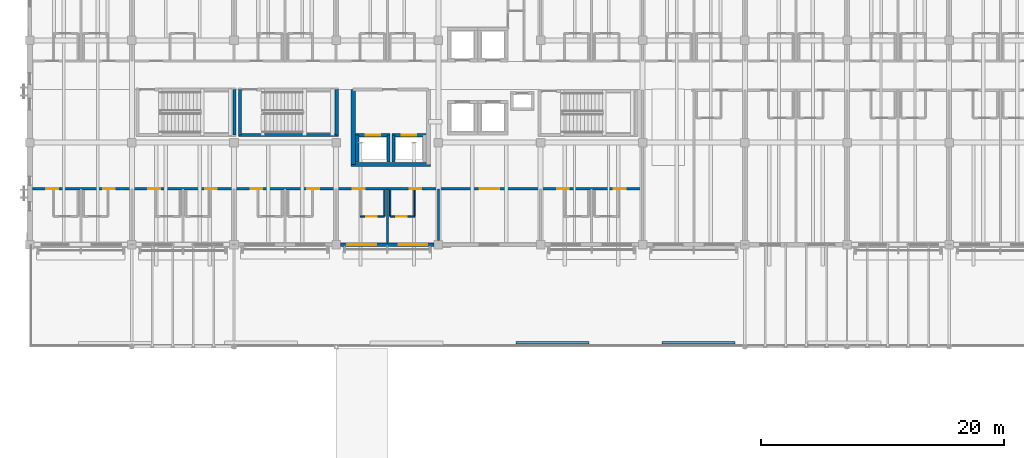
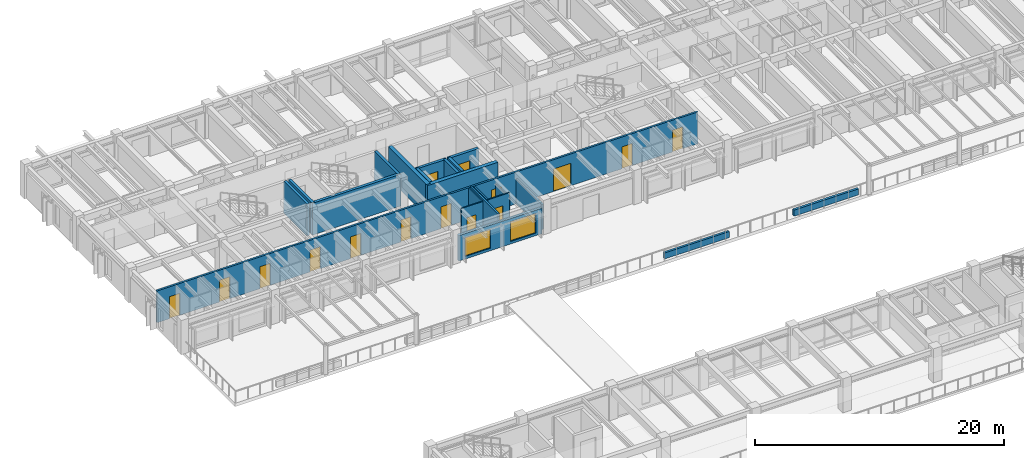
# One storey, part 87 of 111: 22 walls, 15 doors, 2 windows, 17 openings.
"""IFC4 building model written with IfcOpenShell, lengths in metres."""

from ifc_helpers import new_model, si_unit, direction, frame, frame_2d, origin, place, context, subcontext, project, spatial, rectangle, extrude, material, layer, layer_set, type_object, element, fill, save


model = new_model("IFC4")

# Units and contexts
model_context = context("Model", 3, precision=1e-05, world=origin(), true_north=direction((0.0, 1.0)))
body_context = subcontext(model_context, "Body", "Model", "MODEL_VIEW")
ifc_project = project(units=[si_unit("LENGTHUNIT", "METRE"), si_unit("AREAUNIT", "SQUARE_METRE"), si_unit("VOLUMEUNIT", "CUBIC_METRE"), si_unit("PLANEANGLEUNIT", "RADIAN"), si_unit("MASSUNIT", "GRAM", prefix="KILO")], contexts=[model_context])

# Site, building, storey
site_placement = place(None, origin())
site = spatial("IfcSite", under=ifc_project, at=site_placement, CompositionType="ELEMENT")
building_placement = place(site_placement, origin())
building = spatial("IfcBuilding", under=site, at=building_placement, Name="Cumbredor Promenade Congress Hotel", CompositionType="ELEMENT")
storey_placement = place(building_placement, frame((0.0, 0.0, 15.1201171875)))
storey = spatial("IfcBuildingStorey", under=building, at=storey_placement, Name="L04", CompositionType="ELEMENT", Elevation=15.1201171875)

# Walls
ifc_material_1 = material(Name="Concrete C50/60", Category="concrete")
ifc_layer_1 = layer(ifc_material_1, 0.35009765625, Name="Concrete C50/60", Category="concrete")
ifc_layer_set_1 = layer_set([ifc_layer_1], Name="Concrete C50/60")
wall_type_1 = type_object("IfcWallType", Name="Seismic Shear Core Wall 350mm", PredefinedType="SHEAR", material=ifc_layer_set_1)
wall_1_placement = place(storey_placement, frame((26.60009765625, 99.0, 0.0), z_axis=(0.0, 0.0, 1.0), x_axis=(0.0, 1.0, 0.0)))
element("IfcWall", 1, at=wall_1_placement, inside=storey, type_object=wall_type_1, Name="L04 Hotel Core Shear Wall W1", PredefinedType="SHEAR", context=body_context, shape_type="SweptSolid", body=[
    extrude(rectangle(XDim=6.14990234375, YDim=0.35009765625, at=frame_2d((3.074951171875, 0.0))), origin(), (0.0, 0.0, 1.0), 3.119873046875),
])
wall_2_placement = place(storey_placement, frame((26.425048828125, 99.0, 0.0), z_axis=(0.0, 0.0, 1.0), x_axis=(1.0, 0.0, 0.0)))
element("IfcWall", 2, at=wall_2_placement, inside=storey, type_object=wall_type_1, Name="L04 Hotel Core Shear Wall S1", PredefinedType="SHEAR", context=body_context, shape_type="SweptSolid", body=[
    extrude(rectangle(XDim=6.550048828125, YDim=0.35009765625, at=frame_2d((3.27490234375, 0.0))), origin(), (0.0, 0.0, 1.0), 3.119873046875),
])

# Wall, opening, door
ifc_material_2 = material(Name="Moisture-resistant gypsum board on steel studs", Category="steel")
ifc_layer_2 = layer(ifc_material_2, 0.114990234375, Name="Moisture-resistant gypsum board on steel studs", Category="steel")
ifc_layer_set_2 = layer_set([ifc_layer_2], Name="Moisture-resistant gypsum board on steel studs")
wall_type_2 = type_object("IfcWallType", Name="WL-BATH-115", PredefinedType="PARTITIONING", material=ifc_layer_set_2)
wall_3_placement = place(storey_placement, frame((27.159912109375, 94.72998046875, 0.0), z_axis=(0.0, 0.0, 1.0), x_axis=(1.0, 0.0, 0.0)))
wall_3 = element("IfcWall", 3, at=wall_3_placement, inside=storey, type_object=wall_type_2, Name="L04 Interior Partition W-L04-BH-0477", PredefinedType="PARTITIONING", context=body_context, shape_type="SweptSolid", body=[
    extrude(rectangle(XDim=2.0, YDim=0.114990234375, at=frame_2d((1.0, 0.0))), origin(), (0.0, 0.0, 1.0), 3.119873046875),
])
opening_1_placement = place(wall_3_placement, frame((0.5, 0.0, 0.0)))
opening_1 = element("IfcOpeningElement", 4, at=opening_1_placement, cuts=wall_3, Name="Opening ID-01", PredefinedType="OPENING", context=body_context, shape_type="SweptSolid", body=[
    extrude(rectangle(XDim=0.860107421875, YDim=2.050048828125, at=frame_2d((0.43017578125, 1.02490234375))), frame((0.0, 0.0673828125, 0.0), z_axis=(0.0, -1.0, 0.0), x_axis=(1.0, 0.0, 0.0)), (0.0, 0.0, 1.0), 0.135009765625),
])
ifc_material_3 = material(Name="Kiln-dried tropical hardwood", Category="wood")
door_type_1 = type_object("IfcDoorType", Name="DR-BATH-860", OperationType="NOTDEFINED", PredefinedType="DOOR", material=ifc_material_3)
door_1_placement = place(opening_1_placement, origin())
door_1 = element("IfcDoor", 5, at=door_1_placement, inside=storey, type_object=door_type_1, Name="L04 Interior Door W-L04-BH-0477-01", OperationType="SINGLE_SWING_LEFT", OverallHeight=2.050048828125, OverallWidth=0.860107421875, PredefinedType="DOOR", context=body_context, shape_type="SweptSolid", body=[
    extrude(rectangle(XDim=0.860107421875, YDim=2.050048828125, at=frame_2d((0.43017578125, 1.02490234375))), frame((0.0, 0.02490234375, 0.0), z_axis=(0.0, -1.0, 0.0), x_axis=(1.0, 0.0, 0.0)), (0.0, 0.0, 1.0), 0.050048828125),
])
fill(opening_1, door_1)

# Wall
wall_4_placement = place(storey_placement, frame((29.159912109375, 94.72998046875, 0.0), z_axis=(0.0, 0.0, 1.0), x_axis=(0.0, 1.0, 0.0)))
element("IfcWall", 6, at=wall_4_placement, inside=storey, type_object=wall_type_2, Name="L04 Interior Partition W-L04-BV2-0477", PredefinedType="PARTITIONING", context=body_context, shape_type="SweptSolid", body=[
    extrude(rectangle(XDim=2.14990234375, YDim=0.114990234375, at=frame_2d((1.074951171875, 0.0))), origin(), (0.0, 0.0, 1.0), 3.119873046875),
])

# Wall, opening, door
wall_5_placement = place(storey_placement, frame((29.639892578125, 94.72998046875, 0.0), z_axis=(0.0, 0.0, 1.0), x_axis=(1.0, 0.0, 0.0)))
wall_5 = element("IfcWall", 7, at=wall_5_placement, inside=storey, type_object=wall_type_2, Name="L04 Interior Partition W-L04-BH-0478", PredefinedType="PARTITIONING", context=body_context, shape_type="SweptSolid", body=[
    extrude(rectangle(XDim=2.0, YDim=0.114990234375, at=frame_2d((1.0, 0.0))), origin(), (0.0, 0.0, 1.0), 3.119873046875),
])
opening_2_placement = place(wall_5_placement, frame((0.5, 0.0, 0.0)))
opening_2 = element("IfcOpeningElement", 8, at=opening_2_placement, cuts=wall_5, Name="Opening ID-01", PredefinedType="OPENING", context=body_context, shape_type="SweptSolid", body=[
    extrude(rectangle(XDim=0.860107421875, YDim=2.050048828125, at=frame_2d((0.43017578125, 1.02490234375))), frame((0.0, 0.0673828125, 0.0), z_axis=(0.0, -1.0, 0.0), x_axis=(1.0, 0.0, 0.0)), (0.0, 0.0, 1.0), 0.135009765625),
])
door_2_placement = place(opening_2_placement, origin())
door_2 = element("IfcDoor", 9, at=door_2_placement, inside=storey, type_object=door_type_1, Name="L04 Interior Door W-L04-BH-0478-01", OperationType="SINGLE_SWING_RIGHT", OverallHeight=2.050048828125, OverallWidth=0.860107421875, PredefinedType="DOOR", context=body_context, shape_type="SweptSolid", body=[
    extrude(rectangle(XDim=0.860107421875, YDim=2.050048828125, at=frame_2d((0.43017578125, 1.02490234375))), frame((0.0, 0.02490234375, 0.0), z_axis=(0.0, -1.0, 0.0), x_axis=(1.0, 0.0, 0.0)), (0.0, 0.0, 1.0), 0.050048828125),
])
fill(opening_2, door_2)

# Walls
wall_6_placement = place(storey_placement, frame((29.639892578125, 94.72998046875, 0.0), z_axis=(0.0, 0.0, 1.0), x_axis=(0.0, 1.0, 0.0)))
element("IfcWall", 10, at=wall_6_placement, inside=storey, type_object=wall_type_2, Name="L04 Interior Partition W-L04-BV1-0478", PredefinedType="PARTITIONING", context=body_context, shape_type="SweptSolid", body=[
    extrude(rectangle(XDim=2.14990234375, YDim=0.114990234375, at=frame_2d((1.074951171875, 0.0))), origin(), (0.0, 0.0, 1.0), 3.119873046875),
])
wall_7_placement = place(storey_placement, frame((31.639892578125, 94.72998046875, 0.0), z_axis=(0.0, 0.0, 1.0), x_axis=(0.0, 1.0, 0.0)))
element("IfcWall", 11, at=wall_7_placement, inside=storey, type_object=wall_type_2, Name="L04 Interior Partition W-L04-BV2-0478", PredefinedType="PARTITIONING", context=body_context, shape_type="SweptSolid", body=[
    extrude(rectangle(XDim=2.14990234375, YDim=0.114990234375, at=frame_2d((1.074951171875, 0.0))), origin(), (0.0, 0.0, 1.0), 2.641845703125),
])

# Wall, openings, doors
ifc_material_4 = material(Name="Fire-rated hotel corridor wall")
ifc_layer_3 = layer(ifc_material_4, 0.179931640625, Name="Fire-rated hotel corridor wall")
ifc_layer_set_3 = layer_set([ifc_layer_3], Name="Fire-rated hotel corridor wall")
wall_type_3 = type_object("IfcWallType", Name="WL-CORR-180", PredefinedType="PARTITIONING", material=ifc_layer_set_3)
wall_8_placement = place(storey_placement, frame((0.21240234375, 97.0, 0.0), z_axis=(0.0, 0.0, 1.0), x_axis=(1.0, 0.0, 0.0)))
wall_8 = element("IfcWall", 12, at=wall_8_placement, inside=storey, type_object=wall_type_3, Name="L04 Interior Partition W-L04-SC-CORRW", PredefinedType="PARTITIONING", context=body_context, shape_type="SweptSolid", body=[
    extrude(rectangle(XDim=50.1875, YDim=0.179931640625, at=frame_2d((25.09375, 0.0))), origin(), (0.0, 0.0, 1.0), 3.119873046875),
])
opening_3_placement = place(wall_8_placement, frame((1.157958984375, 0.0, 0.0)))
opening_3 = element("IfcOpeningElement", 13, at=opening_3_placement, cuts=wall_8, Name="Opening FD-01", PredefinedType="OPENING", context=body_context, shape_type="SweptSolid", body=[
    extrude(rectangle(XDim=0.9599609375, YDim=2.14990234375, at=frame_2d((0.47998046875, 1.074951171875))), frame((0.0, 0.10009765625, 0.0), z_axis=(0.0, -1.0, 0.0), x_axis=(1.0, 0.0, 0.0)), (0.0, 0.0, 1.0), 0.199951171875),
])
opening_4_placement = place(wall_8_placement, frame((5.81689453125, 0.0, 0.0)))
opening_4 = element("IfcOpeningElement", 14, at=opening_4_placement, cuts=wall_8, Name="Opening FD-01", PredefinedType="OPENING", context=body_context, shape_type="SweptSolid", body=[
    extrude(rectangle(XDim=0.9599609375, YDim=2.14990234375, at=frame_2d((0.47998046875, 1.074951171875))), frame((0.0, 0.10009765625, 0.0), z_axis=(0.0, -1.0, 0.0), x_axis=(1.0, 0.0, 0.0)), (0.0, 0.0, 1.0), 0.199951171875),
])
opening_5_placement = place(wall_8_placement, frame((9.556884765625, 0.0, 0.0)))
opening_5 = element("IfcOpeningElement", 15, at=opening_5_placement, cuts=wall_8, Name="Opening FD-01", PredefinedType="OPENING", context=body_context, shape_type="SweptSolid", body=[
    extrude(rectangle(XDim=0.9599609375, YDim=2.14990234375, at=frame_2d((0.47998046875, 1.074951171875))), frame((0.0, 0.10009765625, 0.0), z_axis=(0.0, -1.0, 0.0), x_axis=(1.0, 0.0, 0.0)), (0.0, 0.0, 1.0), 0.199951171875),
])
opening_6_placement = place(wall_8_placement, frame((14.217041015625, 0.0, 0.0)))
opening_6 = element("IfcOpeningElement", 16, at=opening_6_placement, cuts=wall_8, Name="Opening FD-01", PredefinedType="OPENING", context=body_context, shape_type="SweptSolid", body=[
    extrude(rectangle(XDim=0.9599609375, YDim=2.14990234375, at=frame_2d((0.47998046875, 1.074951171875))), frame((0.0, 0.10009765625, 0.0), z_axis=(0.0, -1.0, 0.0), x_axis=(1.0, 0.0, 0.0)), (0.0, 0.0, 1.0), 0.199951171875),
])
opening_7_placement = place(wall_8_placement, frame((17.9580078125, 0.0, 0.0)))
opening_7 = element("IfcOpeningElement", 17, at=opening_7_placement, cuts=wall_8, Name="Opening FD-01", PredefinedType="OPENING", context=body_context, shape_type="SweptSolid", body=[
    extrude(rectangle(XDim=0.9599609375, YDim=2.14990234375, at=frame_2d((0.47998046875, 1.074951171875))), frame((0.0, 0.10009765625, 0.0), z_axis=(0.0, -1.0, 0.0), x_axis=(1.0, 0.0, 0.0)), (0.0, 0.0, 1.0), 0.199951171875),
])
opening_8_placement = place(wall_8_placement, frame((22.616943359375, 0.0, 0.0)))
opening_8 = element("IfcOpeningElement", 18, at=opening_8_placement, cuts=wall_8, Name="Opening FD-01", PredefinedType="OPENING", context=body_context, shape_type="SweptSolid", body=[
    extrude(rectangle(XDim=0.9599609375, YDim=2.14990234375, at=frame_2d((0.47998046875, 1.074951171875))), frame((0.0, 0.10009765625, 0.0), z_axis=(0.0, -1.0, 0.0), x_axis=(1.0, 0.0, 0.0)), (0.0, 0.0, 1.0), 0.199951171875),
])
opening_9_placement = place(wall_8_placement, frame((26.35791015625, 0.0, 0.0)))
opening_9 = element("IfcOpeningElement", 19, at=opening_9_placement, cuts=wall_8, Name="Opening FD-01", PredefinedType="OPENING", context=body_context, shape_type="SweptSolid", body=[
    extrude(rectangle(XDim=0.9599609375, YDim=2.14990234375, at=frame_2d((0.47998046875, 1.074951171875))), frame((0.0, 0.10009765625, 0.0), z_axis=(0.0, -1.0, 0.0), x_axis=(1.0, 0.0, 0.0)), (0.0, 0.0, 1.0), 0.199951171875),
])
opening_10_placement = place(wall_8_placement, frame((31.01806640625, 0.0, 0.0)))
opening_10 = element("IfcOpeningElement", 20, at=opening_10_placement, cuts=wall_8, Name="Opening FD-01", PredefinedType="OPENING", context=body_context, shape_type="SweptSolid", body=[
    extrude(rectangle(XDim=0.9599609375, YDim=2.14990234375, at=frame_2d((0.47998046875, 1.074951171875))), frame((0.0, 0.10009765625, 0.0), z_axis=(0.0, -1.0, 0.0), x_axis=(1.0, 0.0, 0.0)), (0.0, 0.0, 1.0), 0.199951171875),
])
opening_11_placement = place(wall_8_placement, frame((36.7880859375, 0.0, 0.0)))
opening_11 = element("IfcOpeningElement", 21, at=opening_11_placement, cuts=wall_8, Name="Opening FD-08", PredefinedType="OPENING", context=body_context, shape_type="SweptSolid", body=[
    extrude(rectangle(XDim=1.6201171875, YDim=2.199951171875, at=frame_2d((0.81005859375, 1.10009765625))), frame((0.0, 0.10009765625, 0.0), z_axis=(0.0, -1.0, 0.0), x_axis=(1.0, 0.0, 0.0)), (0.0, 0.0, 1.0), 0.199951171875),
])
opening_12_placement = place(wall_8_placement, frame((43.156982421875, 0.0, 0.0)))
opening_12 = element("IfcOpeningElement", 22, at=opening_12_placement, cuts=wall_8, Name="Opening FD-01", PredefinedType="OPENING", context=body_context, shape_type="SweptSolid", body=[
    extrude(rectangle(XDim=0.9599609375, YDim=2.14990234375, at=frame_2d((0.47998046875, 1.074951171875))), frame((0.0, 0.10009765625, 0.0), z_axis=(0.0, -1.0, 0.0), x_axis=(1.0, 0.0, 0.0)), (0.0, 0.0, 1.0), 0.199951171875),
])
opening_13_placement = place(wall_8_placement, frame((47.818115234375, 0.0, 0.0)))
opening_13 = element("IfcOpeningElement", 23, at=opening_13_placement, cuts=wall_8, Name="Opening FD-01", PredefinedType="OPENING", context=body_context, shape_type="SweptSolid", body=[
    extrude(rectangle(XDim=0.9599609375, YDim=2.14990234375, at=frame_2d((0.47998046875, 1.074951171875))), frame((0.0, 0.10009765625, 0.0), z_axis=(0.0, -1.0, 0.0), x_axis=(1.0, 0.0, 0.0)), (0.0, 0.0, 1.0), 0.199951171875),
])
ifc_material_5 = material(Name="Solid-core fire-rated tropical hardwood", Category="wood")
door_type_2 = type_object("IfcDoorType", Name="DR-DBL-FD60-1600", OperationType="DOUBLE_DOOR_SINGLE_SWING", PredefinedType="DOOR", material=ifc_material_5)
door_3_placement = place(opening_11_placement, origin())
door_3 = element("IfcDoor", 24, at=door_3_placement, inside=storey, type_object=door_type_2, Name="L04 Interior Door W-L04-SC-CORRW-09", OperationType="DOUBLE_DOOR_SINGLE_SWING", OverallHeight=2.199951171875, OverallWidth=1.6201171875, PredefinedType="DOOR", context=body_context, shape_type="SweptSolid", body=[
    extrude(rectangle(XDim=1.6201171875, YDim=2.199951171875, at=frame_2d((0.81005859375, 1.10009765625))), frame((0.0, 0.02490234375, 0.0), z_axis=(0.0, -1.0, 0.0), x_axis=(1.0, 0.0, 0.0)), (0.0, 0.0, 1.0), 0.050048828125),
])
fill(opening_11, door_3)
door_type_3 = type_object("IfcDoorType", Name="DR-GUEST-FD30-950", OperationType="NOTDEFINED", PredefinedType="DOOR", material=ifc_material_5)
door_4_placement = place(opening_3_placement, origin())
door_4 = element("IfcDoor", 25, at=door_4_placement, inside=storey, type_object=door_type_3, Name="L04 Interior Door W-L04-SC-CORRW-01", OperationType="SINGLE_SWING_RIGHT", OverallHeight=2.14990234375, OverallWidth=0.9599609375, PredefinedType="DOOR", context=body_context, shape_type="SweptSolid", body=[
    extrude(rectangle(XDim=0.9599609375, YDim=2.14990234375, at=frame_2d((0.47998046875, 1.074951171875))), frame((0.0, 0.02490234375, 0.0), z_axis=(0.0, -1.0, 0.0), x_axis=(1.0, 0.0, 0.0)), (0.0, 0.0, 1.0), 0.050048828125),
])
fill(opening_3, door_4)
door_5_placement = place(opening_4_placement, origin())
door_5 = element("IfcDoor", 26, at=door_5_placement, inside=storey, type_object=door_type_3, Name="L04 Interior Door W-L04-SC-CORRW-02", OperationType="SINGLE_SWING_LEFT", OverallHeight=2.14990234375, OverallWidth=0.9599609375, PredefinedType="DOOR", context=body_context, shape_type="SweptSolid", body=[
    extrude(rectangle(XDim=0.9599609375, YDim=2.14990234375, at=frame_2d((0.47998046875, 1.074951171875))), frame((0.0, 0.02490234375, 0.0), z_axis=(0.0, -1.0, 0.0), x_axis=(1.0, 0.0, 0.0)), (0.0, 0.0, 1.0), 0.050048828125),
])
fill(opening_4, door_5)
door_6_placement = place(opening_5_placement, origin())
door_6 = element("IfcDoor", 27, at=door_6_placement, inside=storey, type_object=door_type_3, Name="L04 Interior Door W-L04-SC-CORRW-03", OperationType="SINGLE_SWING_RIGHT", OverallHeight=2.14990234375, OverallWidth=0.9599609375, PredefinedType="DOOR", context=body_context, shape_type="SweptSolid", body=[
    extrude(rectangle(XDim=0.9599609375, YDim=2.14990234375, at=frame_2d((0.47998046875, 1.074951171875))), frame((0.0, 0.02490234375, 0.0), z_axis=(0.0, -1.0, 0.0), x_axis=(1.0, 0.0, 0.0)), (0.0, 0.0, 1.0), 0.050048828125),
])
fill(opening_5, door_6)
door_7_placement = place(opening_6_placement, origin())
door_7 = element("IfcDoor", 28, at=door_7_placement, inside=storey, type_object=door_type_3, Name="L04 Interior Door W-L04-SC-CORRW-04", OperationType="SINGLE_SWING_LEFT", OverallHeight=2.14990234375, OverallWidth=0.9599609375, PredefinedType="DOOR", context=body_context, shape_type="SweptSolid", body=[
    extrude(rectangle(XDim=0.9599609375, YDim=2.14990234375, at=frame_2d((0.47998046875, 1.074951171875))), frame((0.0, 0.02490234375, 0.0), z_axis=(0.0, -1.0, 0.0), x_axis=(1.0, 0.0, 0.0)), (0.0, 0.0, 1.0), 0.050048828125),
])
fill(opening_6, door_7)
door_8_placement = place(opening_7_placement, origin())
door_8 = element("IfcDoor", 29, at=door_8_placement, inside=storey, type_object=door_type_3, Name="L04 Interior Door W-L04-SC-CORRW-05", OperationType="SINGLE_SWING_RIGHT", OverallHeight=2.14990234375, OverallWidth=0.9599609375, PredefinedType="DOOR", context=body_context, shape_type="SweptSolid", body=[
    extrude(rectangle(XDim=0.9599609375, YDim=2.14990234375, at=frame_2d((0.47998046875, 1.074951171875))), frame((0.0, 0.02490234375, 0.0), z_axis=(0.0, -1.0, 0.0), x_axis=(1.0, 0.0, 0.0)), (0.0, 0.0, 1.0), 0.050048828125),
])
fill(opening_7, door_8)
door_9_placement = place(opening_8_placement, origin())
door_9 = element("IfcDoor", 30, at=door_9_placement, inside=storey, type_object=door_type_3, Name="L04 Interior Door W-L04-SC-CORRW-06", OperationType="SINGLE_SWING_LEFT", OverallHeight=2.14990234375, OverallWidth=0.9599609375, PredefinedType="DOOR", context=body_context, shape_type="SweptSolid", body=[
    extrude(rectangle(XDim=0.9599609375, YDim=2.14990234375, at=frame_2d((0.47998046875, 1.074951171875))), frame((0.0, 0.02490234375, 0.0), z_axis=(0.0, -1.0, 0.0), x_axis=(1.0, 0.0, 0.0)), (0.0, 0.0, 1.0), 0.050048828125),
])
fill(opening_8, door_9)
door_10_placement = place(opening_9_placement, origin())
door_10 = element("IfcDoor", 31, at=door_10_placement, inside=storey, type_object=door_type_3, Name="L04 Interior Door W-L04-SC-CORRW-07", OperationType="SINGLE_SWING_RIGHT", OverallHeight=2.14990234375, OverallWidth=0.9599609375, PredefinedType="DOOR", context=body_context, shape_type="SweptSolid", body=[
    extrude(rectangle(XDim=0.9599609375, YDim=2.14990234375, at=frame_2d((0.47998046875, 1.074951171875))), frame((0.0, 0.02490234375, 0.0), z_axis=(0.0, -1.0, 0.0), x_axis=(1.0, 0.0, 0.0)), (0.0, 0.0, 1.0), 0.050048828125),
])
fill(opening_9, door_10)
door_11_placement = place(opening_10_placement, origin())
door_11 = element("IfcDoor", 32, at=door_11_placement, inside=storey, type_object=door_type_3, Name="L04 Interior Door W-L04-SC-CORRW-08", OperationType="SINGLE_SWING_LEFT", OverallHeight=2.14990234375, OverallWidth=0.9599609375, PredefinedType="DOOR", context=body_context, shape_type="SweptSolid", body=[
    extrude(rectangle(XDim=0.9599609375, YDim=2.14990234375, at=frame_2d((0.47998046875, 1.074951171875))), frame((0.0, 0.02490234375, 0.0), z_axis=(0.0, -1.0, 0.0), x_axis=(1.0, 0.0, 0.0)), (0.0, 0.0, 1.0), 0.050048828125),
])
fill(opening_10, door_11)
door_12_placement = place(opening_12_placement, origin())
door_12 = element("IfcDoor", 33, at=door_12_placement, inside=storey, type_object=door_type_3, Name="L04 Interior Door W-L04-SC-CORRW-10", OperationType="SINGLE_SWING_RIGHT", OverallHeight=2.14990234375, OverallWidth=0.9599609375, PredefinedType="DOOR", context=body_context, shape_type="SweptSolid", body=[
    extrude(rectangle(XDim=0.9599609375, YDim=2.14990234375, at=frame_2d((0.47998046875, 1.074951171875))), frame((0.0, 0.02490234375, 0.0), z_axis=(0.0, -1.0, 0.0), x_axis=(1.0, 0.0, 0.0)), (0.0, 0.0, 1.0), 0.050048828125),
])
fill(opening_12, door_12)
door_13_placement = place(opening_13_placement, origin())
door_13 = element("IfcDoor", 34, at=door_13_placement, inside=storey, type_object=door_type_3, Name="L04 Interior Door W-L04-SC-CORRW-11", OperationType="SINGLE_SWING_LEFT", OverallHeight=2.14990234375, OverallWidth=0.9599609375, PredefinedType="DOOR", context=body_context, shape_type="SweptSolid", body=[
    extrude(rectangle(XDim=0.9599609375, YDim=2.14990234375, at=frame_2d((0.47998046875, 1.074951171875))), frame((0.0, 0.02490234375, 0.0), z_axis=(0.0, -1.0, 0.0), x_axis=(1.0, 0.0, 0.0)), (0.0, 0.0, 1.0), 0.050048828125),
])
fill(opening_13, door_13)

# Wall, openings, windows
ifc_material_6 = material(Name="Concrete C40/50", Category="concrete")
ifc_layer_4 = layer(ifc_material_6, 0.280029296875, Name="Concrete C40/50", Category="concrete")
ifc_layer_set_4 = layer_set([ifc_layer_4], Name="Concrete C40/50")
wall_type_4 = type_object("IfcWallType", Name="WL-EXT-280", PredefinedType="SOLIDWALL", material=ifc_layer_set_4)
wall_9_placement = place(storey_placement, frame((25.551025390625, 92.39990234375, 0.0), z_axis=(0.0, 0.0, 1.0), x_axis=(1.0, 0.0, 0.0)))
wall_9 = element("IfcWall", 35, at=wall_9_placement, inside=storey, type_object=wall_type_4, Name="L04 Stepped Congress Hotel Wing South Envelope Wall 4", PredefinedType="SOLIDWALL", context=body_context, shape_type="SweptSolid", body=[
    extrude(rectangle(XDim=7.697998046875, YDim=0.280029296875, at=frame_2d((3.84912109375, 0.0))), origin(), (0.0, 0.0, 1.0), 2.493896484375),
])
opening_14_placement = place(wall_9_placement, frame((0.573974609375, 0.0, 0.25)))
opening_14 = element("IfcOpeningElement", 36, at=opening_14_placement, cuts=wall_9, Name="Opening WN-02", PredefinedType="OPENING", context=body_context, shape_type="SweptSolid", body=[
    extrude(rectangle(XDim=2.35009765625, YDim=1.85009765625, at=frame_2d((1.175048828125, 0.925048828125))), frame((0.0, 0.14990234375, 0.0), z_axis=(0.0, -1.0, 0.0), x_axis=(1.0, 0.0, 0.0)), (0.0, 0.0, 1.0), 0.300048828125),
])
opening_15_placement = place(wall_9_placement, frame((4.77392578125, 0.0, 0.25)))
opening_15 = element("IfcOpeningElement", 37, at=opening_15_placement, cuts=wall_9, Name="Opening WN-08", PredefinedType="OPENING", context=body_context, shape_type="SweptSolid", body=[
    extrude(rectangle(XDim=2.35009765625, YDim=1.949951171875, at=frame_2d((1.175048828125, 0.97509765625))), frame((0.0, 0.14990234375, 0.0), z_axis=(0.0, -1.0, 0.0), x_axis=(1.0, 0.0, 0.0)), (0.0, 0.0, 1.0), 0.300048828125),
])
ifc_material_7 = material(Name="Thermally broken anodized aluminium and low-E glass", Category="aluminium")
window_type_1 = type_object("IfcWindowType", Name="Hospitality Floor-to-Ceiling Window WN-02 2350x1850", PartitioningType="DOUBLE_PANEL_VERTICAL", PredefinedType="WINDOW", material=ifc_material_7)
window_1_placement = place(opening_14_placement, origin())
window_1 = element("IfcWindow", 38, at=window_1_placement, inside=storey, type_object=window_type_1, Name="L04 Wide Hospitality Window 0478", OverallHeight=1.85009765625, OverallWidth=2.35009765625, PartitioningType="DOUBLE_PANEL_VERTICAL", PredefinedType="WINDOW", context=body_context, shape_type="SweptSolid", body=[
    extrude(rectangle(XDim=2.35009765625, YDim=1.85009765625, at=frame_2d((1.175048828125, 0.925048828125))), frame((0.0, 0.030029296875, 0.0), z_axis=(0.0, -1.0, 0.0), x_axis=(1.0, 0.0, 0.0)), (0.0, 0.0, 1.0), 0.06005859375),
])
fill(opening_14, window_1)
window_type_2 = type_object("IfcWindowType", Name="Hospitality Floor-to-Ceiling Window WN-08 2350x1950", PartitioningType="DOUBLE_PANEL_VERTICAL", PredefinedType="WINDOW", material=ifc_material_7)
window_2_placement = place(opening_15_placement, origin())
window_2 = element("IfcWindow", 39, at=window_2_placement, inside=storey, type_object=window_type_2, Name="L04 Wide Hospitality Window 0479", OverallHeight=1.949951171875, OverallWidth=2.35009765625, PartitioningType="DOUBLE_PANEL_VERTICAL", PredefinedType="WINDOW", context=body_context, shape_type="SweptSolid", body=[
    extrude(rectangle(XDim=2.35009765625, YDim=1.949951171875, at=frame_2d((1.175048828125, 0.97509765625))), frame((0.0, 0.030029296875, 0.0), z_axis=(0.0, -1.0, 0.0), x_axis=(1.0, 0.0, 0.0)), (0.0, 0.0, 1.0), 0.06005859375),
])
fill(opening_15, window_2)

# Walls
ifc_material_8 = material(Name="Precast concrete C40/50", Category="concrete")
ifc_layer_5 = layer(ifc_material_8, 0.199951171875, Name="Precast concrete C40/50", Category="concrete")
ifc_layer_set_5 = layer_set([ifc_layer_5], Name="Precast concrete C40/50")
wall_type_5 = type_object("IfcWallType", Name="WL-PAR-200", PredefinedType="PARAPET", material=ifc_layer_set_5)
wall_10_placement = place(storey_placement, frame((40.0, 84.35009765625, 0.0), z_axis=(0.0, 0.0, 1.0), x_axis=(1.0, 0.0, 0.0)))
element("IfcWall", 40, at=wall_10_placement, inside=storey, type_object=wall_type_5, Name="L04 Sky Garden Planter Upstand Parapet 60", PredefinedType="PARAPET", context=body_context, shape_type="SweptSolid", body=[
    extrude(rectangle(XDim=6.0, YDim=0.199951171875, at=frame_2d((3.0, 0.0))), origin(), (0.0, 0.0, 1.0), 0.599853515625),
])
ifc_layer_6 = layer(ifc_material_8, 0.219970703125, Name="Precast concrete C40/50", Category="concrete")
ifc_layer_set_6 = layer_set([ifc_layer_6], Name="Precast concrete C40/50")
wall_type_6 = type_object("IfcWallType", Name="WL-PAR-220", PredefinedType="PARAPET", material=ifc_layer_set_6)
wall_11_placement = place(storey_placement, frame((52.0, 84.35009765625, 0.0), z_axis=(0.0, 0.0, 1.0), x_axis=(1.0, 0.0, 0.0)))
element("IfcWall", 41, at=wall_11_placement, inside=storey, type_object=wall_type_6, Name="L04 Sky Garden Planter Upstand Parapet 61", PredefinedType="PARAPET", context=body_context, shape_type="SweptSolid", body=[
    extrude(rectangle(XDim=6.0, YDim=0.219970703125, at=frame_2d((3.0, 0.0))), origin(), (0.0, 0.0, 1.0), 0.599853515625),
])
ifc_layer_7 = layer(ifc_material_6, 0.2548828125, Name="Concrete C40/50", Category="concrete")
ifc_layer_set_7 = layer_set([ifc_layer_7], Name="Concrete C40/50")
wall_type_7 = type_object("IfcWallType", Name="WL-SHAFT-250", PredefinedType="SOLIDWALL", material=ifc_layer_set_7)
wall_12_placement = place(storey_placement, frame((16.85009765625, 101.419921875, 0.0), z_axis=(0.0, 0.0, 1.0), x_axis=(0.0, 1.0, 0.0)))
element("IfcWall", 42, at=wall_12_placement, inside=storey, type_object=wall_type_7, Name="STAIR-ST-01-L04 Shaft Wall East", PredefinedType="SOLIDWALL", context=body_context, shape_type="SweptSolid", body=[
    extrude(rectangle(XDim=3.72998046875, YDim=0.2548828125, at=frame_2d((1.864990234375, 0.0))), origin(), (0.0, 0.0, 1.0), 3.119873046875),
])
wall_13_placement = place(storey_placement, frame((17.152587890625, 101.419921875, 0.0), z_axis=(0.0, 0.0, 1.0), x_axis=(1.0, 0.0, 0.0)))
element("IfcWall", 43, at=wall_13_placement, inside=storey, type_object=wall_type_7, Name="STAIR-ST-02-L04 Shaft Wall South", PredefinedType="SOLIDWALL", context=body_context, shape_type="SweptSolid", body=[
    extrude(rectangle(XDim=8.224853515625, YDim=0.2548828125, at=frame_2d((4.1123046875, 0.0))), origin(), (0.0, 0.0, 1.0), 3.119873046875),
])
for number, where, z_axis, x_axis, name in (
    (44, (17.280029296875, 101.419921875, 0.0), (0.0, 0.0, 1.0), (0.0, 1.0, 0.0), "STAIR-ST-02-L04 Shaft Wall West"),
    (45, (25.25, 101.419921875, 0.0), (0.0, 0.0, 1.0), (0.0, 1.0, 0.0), "STAIR-ST-02-L04 Shaft Wall East"),
):
    element("IfcWall", number, at=place(storey_placement, frame(where, z_axis=z_axis, x_axis=x_axis)), inside=storey, type_object=wall_type_7, Name=name, PredefinedType="SOLIDWALL", context=body_context, shape_type="SweptSolid", body=[
        extrude(rectangle(XDim=3.72998046875, YDim=0.2548828125, at=frame_2d((1.864990234375, 0.0))), origin(), (0.0, 0.0, 1.0), 3.119873046875),
    ])

# Wall, opening, door
wall_14_placement = place(storey_placement, frame((26.802490234375, 101.39990234375, 0.0), z_axis=(0.0, 0.0, 1.0), x_axis=(1.0, 0.0, 0.0)))
wall_14 = element("IfcWall", 46, at=wall_14_placement, inside=storey, type_object=wall_type_7, Name="SHAFT-FF-01-L04 Shaft Wall North", PredefinedType="SOLIDWALL", context=body_context, shape_type="SweptSolid", body=[
    extrude(rectangle(XDim=2.824951171875, YDim=0.2548828125, at=frame_2d((1.41259765625, 0.0))), origin(), (0.0, 0.0, 1.0), 3.119873046875),
])
opening_16_placement = place(wall_14_placement, frame((0.8125, 0.0, 0.0)))
opening_16 = element("IfcOpeningElement", 47, at=opening_16_placement, cuts=wall_14, Name="Opening LD-02", PredefinedType="OPENING", context=body_context, shape_type="SweptSolid", body=[
    extrude(rectangle(XDim=1.199951171875, YDim=2.199951171875, at=frame_2d((0.60009765625, 1.10009765625))), frame((0.0, 0.137451171875, 0.0), z_axis=(0.0, -1.0, 0.0), x_axis=(1.0, 0.0, 0.0)), (0.0, 0.0, 1.0), 0.27490234375),
])
ifc_material_9 = material(Name="Brushed stainless steel", Category="steel")
door_type_4 = type_object("IfcDoorType", Name="Firefighting Lift Sliding Door LD-02 1200x2200", OperationType="DOUBLE_DOOR_SLIDING", PredefinedType="DOOR", material=ifc_material_9)
door_14_placement = place(opening_16_placement, origin())
door_14 = element("IfcDoor", 48, at=door_14_placement, inside=storey, type_object=door_type_4, Name="L04 Firefighting Lift FF-01 Sliding Landing Door", OperationType="DOUBLE_DOOR_SLIDING", OverallHeight=2.199951171875, OverallWidth=1.199951171875, PredefinedType="DOOR", context=body_context, shape_type="SweptSolid", body=[
    extrude(rectangle(XDim=1.199951171875, YDim=2.199951171875, at=frame_2d((0.60009765625, 1.10009765625))), frame((0.0, 0.02490234375, 0.0), z_axis=(0.0, -1.0, 0.0), x_axis=(1.0, 0.0, 0.0)), (0.0, 0.0, 1.0), 0.050048828125),
])
fill(opening_16, door_14)

# Walls
for number, where, z_axis, x_axis, name in (
    (49, (26.929931640625, 99.199951171875, 0.0), (0.0, 0.0, 1.0), (0.0, 1.0, 0.0), "SHAFT-FF-01-L04 Shaft Wall West"),
    (50, (29.5, 99.199951171875, 0.0), (0.0, 0.0, 1.0), (0.0, 1.0, 0.0), "SHAFT-FF-01-L04 Shaft Wall East"),
):
    element("IfcWall", number, at=place(storey_placement, frame(where, z_axis=z_axis, x_axis=x_axis)), inside=storey, type_object=wall_type_7, Name=name, PredefinedType="SOLIDWALL", context=body_context, shape_type="SweptSolid", body=[
        extrude(rectangle(XDim=2.199951171875, YDim=0.2548828125, at=frame_2d((1.10009765625, 0.0))), origin(), (0.0, 0.0, 1.0), 3.119873046875),
    ])

# Wall, opening, door
wall_15_placement = place(storey_placement, frame((29.7724609375, 101.39990234375, 0.0), z_axis=(0.0, 0.0, 1.0), x_axis=(1.0, 0.0, 0.0)))
wall_15 = element("IfcWall", 51, at=wall_15_placement, inside=storey, type_object=wall_type_7, Name="SHAFT-FF-02-L04 Shaft Wall North", PredefinedType="SOLIDWALL", context=body_context, shape_type="SweptSolid", body=[
    extrude(rectangle(XDim=2.824951171875, YDim=0.2548828125, at=frame_2d((1.41259765625, 0.0))), origin(), (0.0, 0.0, 1.0), 3.119873046875),
])
opening_17_placement = place(wall_15_placement, frame((0.8125, 0.0, 0.0)))
opening_17 = element("IfcOpeningElement", 52, at=opening_17_placement, cuts=wall_15, Name="Opening LD-02", PredefinedType="OPENING", context=body_context, shape_type="SweptSolid", body=[
    extrude(rectangle(XDim=1.199951171875, YDim=2.199951171875, at=frame_2d((0.60009765625, 1.10009765625))), frame((0.0, 0.137451171875, 0.0), z_axis=(0.0, -1.0, 0.0), x_axis=(1.0, 0.0, 0.0)), (0.0, 0.0, 1.0), 0.27490234375),
])
door_15_placement = place(opening_17_placement, origin())
door_15 = element("IfcDoor", 53, at=door_15_placement, inside=storey, type_object=door_type_4, Name="L04 Firefighting Lift FF-02 Sliding Landing Door", OperationType="DOUBLE_DOOR_SLIDING", OverallHeight=2.199951171875, OverallWidth=1.199951171875, PredefinedType="DOOR", context=body_context, shape_type="SweptSolid", body=[
    extrude(rectangle(XDim=1.199951171875, YDim=2.199951171875, at=frame_2d((0.60009765625, 1.10009765625))), frame((0.0, 0.02490234375, 0.0), z_axis=(0.0, -1.0, 0.0), x_axis=(1.0, 0.0, 0.0)), (0.0, 0.0, 1.0), 0.050048828125),
])
fill(opening_17, door_15)

# Walls
wall_16_placement = place(storey_placement, frame((29.89990234375, 99.199951171875, 0.0), z_axis=(0.0, 0.0, 1.0), x_axis=(0.0, 1.0, 0.0)))
element("IfcWall", 54, at=wall_16_placement, inside=storey, type_object=wall_type_7, Name="SHAFT-FF-02-L04 Shaft Wall West", PredefinedType="SOLIDWALL", context=body_context, shape_type="SweptSolid", body=[
    extrude(rectangle(XDim=2.199951171875, YDim=0.2548828125, at=frame_2d((1.10009765625, 0.0))), origin(), (0.0, 0.0, 1.0), 3.119873046875),
])
ifc_material_10 = material(Name="Fire-rated acoustic double-stud partition")
ifc_layer_8 = layer(ifc_material_10, 0.1650390625, Name="Fire-rated acoustic double-stud partition")
ifc_layer_set_8 = layer_set([ifc_layer_8], Name="Fire-rated acoustic double-stud partition")
wall_type_8 = type_object("IfcWallType", Name="WL-UNIT-165", PredefinedType="PARTITIONING", material=ifc_layer_set_8)
wall_17_placement = place(storey_placement, frame((29.39990234375, 92.5400390625, 0.0), z_axis=(0.0, 0.0, 1.0), x_axis=(0.0, 1.0, 0.0)))
element("IfcWall", 55, at=wall_17_placement, inside=storey, type_object=wall_type_8, Name="L04 Interior Partition W-L04-SC-DIV-3-M", PredefinedType="PARTITIONING", context=body_context, shape_type="SweptSolid", body=[
    extrude(rectangle(XDim=4.4599609375, YDim=0.1650390625, at=frame_2d((2.22998046875, 0.0))), origin(), (0.0, 0.0, 1.0), 3.119873046875),
])
wall_18_placement = place(storey_placement, frame((33.60009765625, 92.75, 0.0), z_axis=(0.0, 0.0, 1.0), x_axis=(0.0, 1.0, 0.0)))
element("IfcWall", 56, at=wall_18_placement, inside=storey, type_object=wall_type_8, Name="L04 Interior Partition W-L04-SC-DIV-4-G", PredefinedType="PARTITIONING", context=body_context, shape_type="SweptSolid", body=[
    extrude(rectangle(XDim=4.25, YDim=0.1650390625, at=frame_2d((2.125, 0.0))), origin(), (0.0, 0.0, 1.0), 2.454833984375),
])

save(model, "model.ifc")
